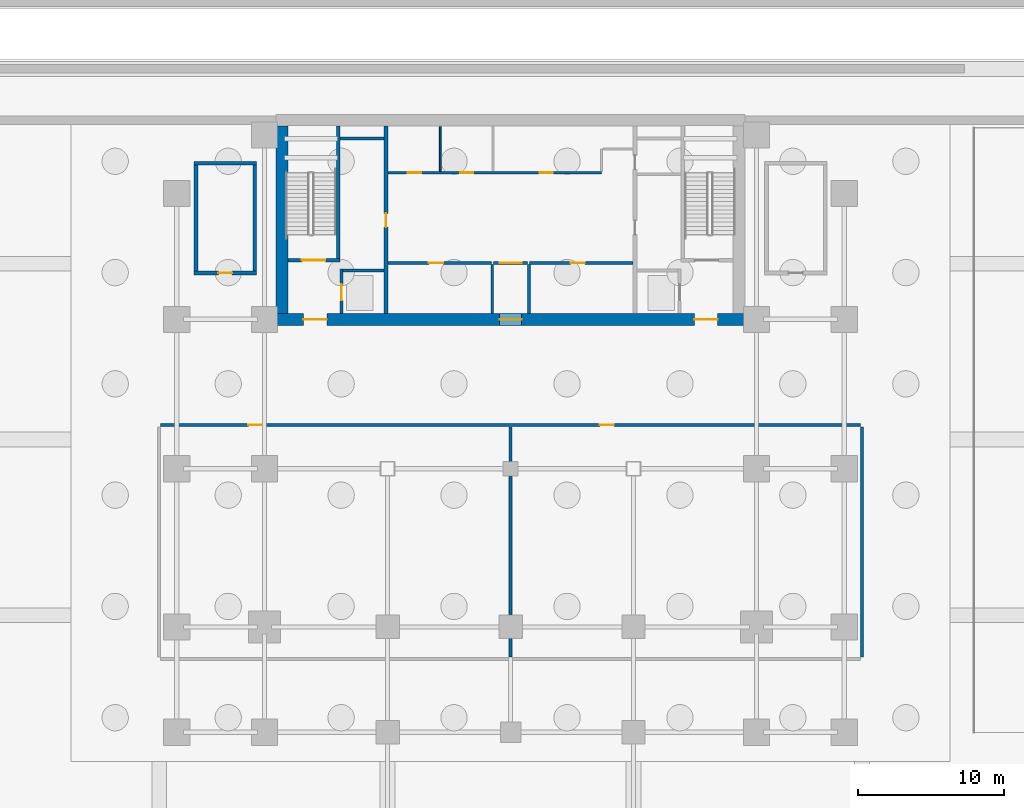
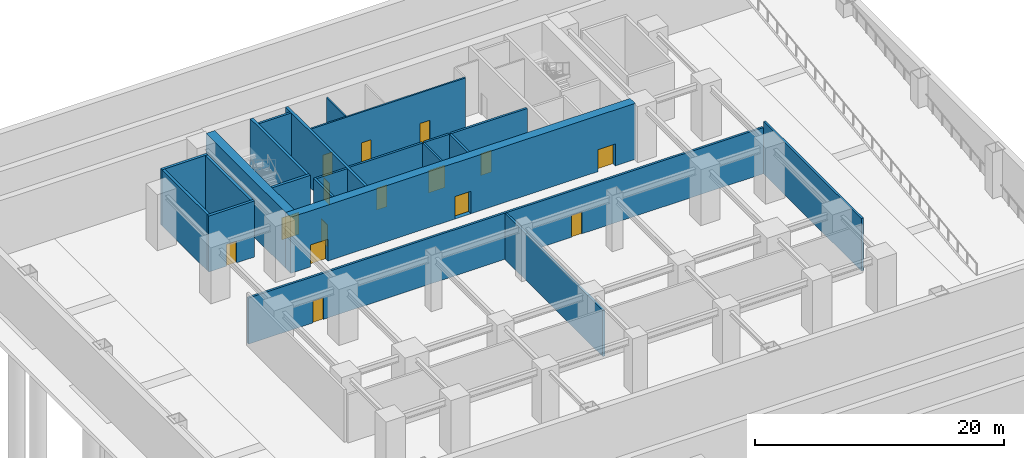
# One storey, part 4 of 9: 22 walls, 15 doors, 15 openings.
"""IFC4 building model written with IfcOpenShell, lengths in metres."""

from ifc_helpers import new_model, si_unit, direction, frame, frame_2d, origin, place, context, subcontext, project, spatial, rectangle, extrude, source, transform, mapped, material, layer, layer_set, type_object, element, fill, save


model = new_model("IFC4")

# Units and contexts
model_context = context("Model", 3, precision=1e-05, world=origin(), true_north=direction((0.0, 1.0)))
body_context = subcontext(model_context, "Body", "Model", "MODEL_VIEW")
ifc_project = project(units=[si_unit("LENGTHUNIT", "METRE"), si_unit("AREAUNIT", "SQUARE_METRE"), si_unit("VOLUMEUNIT", "CUBIC_METRE"), si_unit("PLANEANGLEUNIT", "RADIAN"), si_unit("MASSUNIT", "GRAM", prefix="KILO")], contexts=[model_context])

# Site, building, storey
site_placement = place(None, origin())
site = spatial("IfcSite", under=ifc_project, at=site_placement, CompositionType="ELEMENT")
building_placement = place(site_placement, origin())
building = spatial("IfcBuilding", under=site, at=building_placement, Name="Sumidabori Civic Tower", CompositionType="ELEMENT")
storey_placement = place(building_placement, frame((0.0, 0.0, -11.0)))
storey = spatial("IfcBuildingStorey", under=building, at=storey_placement, Name="B2", CompositionType="ELEMENT", Elevation=-11.0)

# Wall, openings, doors
ifc_material_1 = material(Name="Concrete C60/75", Category="concrete")
ifc_layer_1 = layer(ifc_material_1, 0.800048828125, Name="Concrete C60/75")
ifc_layer_set_1 = layer_set([ifc_layer_1], Name="Concrete C60/75")
wall_type_1 = type_object("IfcWallType", Name="WL-CORE-800", PredefinedType="SHEAR", material=ifc_layer_set_1)
shared_shape_1 = source(origin(), body_context, "Body", "SweptSolid", [
    extrude(rectangle(XDim=32.0, YDim=0.800048828125, at=frame_2d((16.0, 0.0))), origin(), (0.0, 0.0, 1.0), 5.5),
])
wall_1_placement = place(storey_placement, frame((-16.0, 10.199951171875, 0.0), z_axis=(0.0, 0.0, 1.0), x_axis=(1.0, 0.0, 0.0)))
wall_1 = element("IfcWall", 1, at=wall_1_placement, inside=storey, type_object=wall_type_1, Name="Core Shear Wall B2 S", PredefinedType="SHEAR", context=body_context, shape_type="MappedRepresentation", body=[
    mapped(shared_shape_1, transform((0.0, 0.0, 0.0), x_axis=(1.0, 0.0, 0.0), y_axis=(0.0, 1.0, 0.0), z_axis=(0.0, 0.0, 1.0), scale=1.0)),
])
opening_1_placement = place(wall_1_placement, frame((1.85009765625, 0.0, 0.0)))
opening_1 = element("IfcOpeningElement", 2, at=opening_1_placement, cuts=wall_1, Name="Opening DR-FD4", PredefinedType="OPENING", context=body_context, shape_type="SweptSolid", body=[
    extrude(rectangle(XDim=1.60009765625, YDim=2.14990234375, at=frame_2d((0.800048828125, 1.074951171875))), frame((0.0, 0.412109375, 0.0), z_axis=(0.0, -1.0, 0.0), x_axis=(1.0, 0.0, 0.0)), (0.0, 0.0, 1.0), 0.823974609375),
])
opening_2_placement = place(wall_1_placement, frame((28.550048828125, 0.0, 0.0)))
opening_2 = element("IfcOpeningElement", 3, at=opening_2_placement, cuts=wall_1, Name="Opening DR-FD4", PredefinedType="OPENING", context=body_context, shape_type="SweptSolid", body=[
    extrude(rectangle(XDim=1.60009765625, YDim=2.14990234375, at=frame_2d((0.800048828125, 1.074951171875))), frame((0.0, 0.412109375, 0.0), z_axis=(0.0, -1.0, 0.0), x_axis=(1.0, 0.0, 0.0)), (0.0, 0.0, 1.0), 0.823974609375),
])
opening_3_placement = place(wall_1_placement, frame((15.25, 0.0, 0.0)))
opening_3 = element("IfcOpeningElement", 4, at=opening_3_placement, cuts=wall_1, Name="Opening DR-FD3", PredefinedType="OPENING", context=body_context, shape_type="SweptSolid", body=[
    extrude(rectangle(XDim=1.5, YDim=2.199951171875, at=frame_2d((0.75, 1.10009765625))), frame((0.0, 0.412109375, 0.0), z_axis=(0.0, -1.0, 0.0), x_axis=(1.0, 0.0, 0.0)), (0.0, 0.0, 1.0), 0.823974609375),
])
ifc_material_2 = material(Name="Steel SN490", Category="steel")
door_type_1 = type_object("IfcDoorType", Name="DR-FD4", OperationType="DOUBLE_DOOR_SINGLE_SWING", PredefinedType="DOOR", material=ifc_material_2)
shared_shape_2 = source(origin(), body_context, "Body", "SweptSolid", [
    extrude(rectangle(XDim=1.60009765625, YDim=2.14990234375, at=frame_2d((0.800048828125, 1.074951171875))), frame((0.0, 0.02490234375, 0.0), z_axis=(0.0, -1.0, 0.0), x_axis=(1.0, 0.0, 0.0)), (0.0, 0.0, 1.0), 0.050048828125),
])
door_1_placement = place(opening_1_placement, origin())
door_1 = element("IfcDoor", 5, at=door_1_placement, inside=storey, type_object=door_type_1, Name="Door DR:B2:ELOB-W", OperationType="DOUBLE_DOOR_SINGLE_SWING", OverallHeight=2.14990234375, OverallWidth=1.60009765625, PredefinedType="DOOR", context=body_context, shape_type="MappedRepresentation", body=[
    mapped(shared_shape_2, transform((0.0, 0.0, 0.0), x_axis=(1.0, 0.0, 0.0), y_axis=(0.0, 1.0, 0.0), z_axis=(0.0, 0.0, 1.0), scale=1.0)),
])
fill(opening_1, door_1)
door_2_placement = place(opening_2_placement, origin())
door_2 = element("IfcDoor", 6, at=door_2_placement, inside=storey, type_object=door_type_1, Name="Door DR:B2:ELOB-E", OperationType="DOUBLE_DOOR_SINGLE_SWING", OverallHeight=2.14990234375, OverallWidth=1.60009765625, PredefinedType="DOOR", context=body_context, shape_type="MappedRepresentation", body=[
    mapped(shared_shape_2, transform((0.0, 0.0, 0.0), x_axis=(1.0, 0.0, 0.0), y_axis=(0.0, 1.0, 0.0), z_axis=(0.0, 0.0, 1.0), scale=1.0)),
])
fill(opening_2, door_2)
door_type_2 = type_object("IfcDoorType", Name="DR-FD-DBL", OperationType="DOUBLE_DOOR_SINGLE_SWING", PredefinedType="DOOR", material=ifc_material_2)
shared_shape_3 = source(origin(), body_context, "Body", "SweptSolid", [
    extrude(rectangle(XDim=1.5, YDim=2.199951171875, at=frame_2d((0.75, 1.10009765625))), frame((0.0, 0.02490234375, 0.0), z_axis=(0.0, -1.0, 0.0), x_axis=(1.0, 0.0, 0.0)), (0.0, 0.0, 1.0), 0.050048828125),
])
door_3_placement = place(opening_3_placement, origin())
door_3 = element("IfcDoor", 7, at=door_3_placement, inside=storey, type_object=door_type_2, Name="Door DR:B2:THROAT-OUT", OperationType="DOUBLE_DOOR_SINGLE_SWING", OverallHeight=2.199951171875, OverallWidth=1.5, PredefinedType="DOOR", context=body_context, shape_type="MappedRepresentation", body=[
    mapped(shared_shape_3, transform((0.0, 0.0, 0.0), x_axis=(1.0, 0.0, 0.0), y_axis=(0.0, 1.0, 0.0), z_axis=(0.0, 0.0, 1.0), scale=1.0)),
])
fill(opening_3, door_3)

# Wall
shared_shape_4 = source(origin(), body_context, "Body", "SweptSolid", [
    extrude(rectangle(XDim=12.7998046875, YDim=0.800048828125, at=frame_2d((6.39990234375, 0.0))), origin(), (0.0, 0.0, 1.0), 5.5),
])
wall_2_placement = place(storey_placement, frame((-15.60009765625, 10.60009765625, 0.0), z_axis=(0.0, 0.0, 1.0), x_axis=(0.0, 1.0, 0.0)))
element("IfcWall", 8, at=wall_2_placement, inside=storey, type_object=wall_type_1, Name="Core Shear Wall B2 W", PredefinedType="SHEAR", context=body_context, shape_type="MappedRepresentation", body=[
    mapped(shared_shape_4, transform((0.0, 0.0, 0.0), x_axis=(1.0, 0.0, 0.0), y_axis=(0.0, 1.0, 0.0), z_axis=(0.0, 0.0, 1.0), scale=1.0)),
])

# Wall, opening, door
ifc_material_3 = material(Name="Concrete C50/60", Category="concrete")
ifc_layer_2 = layer(ifc_material_3, 0.25, Name="Concrete C50/60")
ifc_layer_set_2 = layer_set([ifc_layer_2], Name="Concrete C50/60")
wall_type_2 = type_object("IfcWallType", Name="WL-SHAFT-250", PredefinedType="SHEAR", material=ifc_layer_set_2)
shared_shape_5 = source(origin(), body_context, "Body", "SweptSolid", [
    extrude(rectangle(XDim=12.7998046875, YDim=0.25, at=frame_2d((6.39990234375, 0.0))), origin(), (0.0, 0.0, 1.0), 5.5),
])
wall_3_placement = place(storey_placement, frame((-8.5, 10.60009765625, 0.0), z_axis=(0.0, 0.0, 1.0), x_axis=(0.0, 1.0, 0.0)))
wall_3 = element("IfcWall", 9, at=wall_3_placement, inside=storey, type_object=wall_type_2, Name="Core Shear Wall B2 WEB-W", PredefinedType="SHEAR", context=body_context, shape_type="MappedRepresentation", body=[
    mapped(shared_shape_5, transform((0.0, 0.0, 0.0), x_axis=(1.0, 0.0, 0.0), y_axis=(0.0, 1.0, 0.0), z_axis=(0.0, 0.0, 1.0), scale=1.0)),
])
opening_4_placement = place(wall_3_placement, frame((5.89990234375, 0.0, 0.0)))
opening_4 = element("IfcOpeningElement", 10, at=opening_4_placement, cuts=wall_3, Name="Opening DR-FD2", PredefinedType="OPENING", context=body_context, shape_type="SweptSolid", body=[
    extrude(rectangle(XDim=0.949951171875, YDim=2.14990234375, at=frame_2d((0.47509765625, 1.074951171875))), frame((0.0, 0.136962890625, 0.0), z_axis=(0.0, -1.0, 0.0), x_axis=(1.0, 0.0, 0.0)), (0.0, 0.0, 1.0), 0.27392578125),
])
door_type_3 = type_object("IfcDoorType", Name="DR-FD2", OperationType="NOTDEFINED", PredefinedType="DOOR", material=ifc_material_2)
shared_shape_6 = source(origin(), body_context, "Body", "SweptSolid", [
    extrude(rectangle(XDim=0.949951171875, YDim=2.14990234375, at=frame_2d((0.47509765625, 1.074951171875))), frame((0.0, 0.02490234375, 0.0), z_axis=(0.0, -1.0, 0.0), x_axis=(1.0, 0.0, 0.0)), (0.0, 0.0, 1.0), 0.050048828125),
])
door_4_placement = place(opening_4_placement, origin())
door_4 = element("IfcDoor", 11, at=door_4_placement, inside=storey, type_object=door_type_3, Name="Door DR:B2:CW-STR", OperationType="SINGLE_SWING_LEFT", OverallHeight=2.14990234375, OverallWidth=0.949951171875, PredefinedType="DOOR", context=body_context, shape_type="MappedRepresentation", body=[
    mapped(shared_shape_6, transform((0.0, 0.0, 0.0), x_axis=(1.0, 0.0, 0.0), y_axis=(0.0, 1.0, 0.0), z_axis=(0.0, 0.0, 1.0), scale=1.0)),
])
fill(opening_4, door_4)

shared_shape_7 = source(origin(), body_context, "Body", "SweptSolid", [
    extrude(rectangle(XDim=3.554931640625, YDim=0.25, at=frame_2d((1.77734375, 0.0))), origin(), (0.0, 0.0, 1.0), 5.5),
])
wall_4_placement = place(storey_placement, frame((-15.199951171875, 14.25, 0.0), z_axis=(0.0, 0.0, 1.0), x_axis=(1.0, 0.0, 0.0)))
wall_4 = element("IfcWall", 12, at=wall_4_placement, inside=storey, type_object=wall_type_2, Name="Core Shear Wall B2 ST1-S", PredefinedType="SHEAR", context=body_context, shape_type="MappedRepresentation", body=[
    mapped(shared_shape_7, transform((0.0, 0.0, 0.0), x_axis=(1.0, 0.0, 0.0), y_axis=(0.0, 1.0, 0.0), z_axis=(0.0, 0.0, 1.0), scale=1.0)),
])
opening_5_placement = place(wall_4_placement, frame((0.949951171875, 0.0, 0.0)))
opening_5 = element("IfcOpeningElement", 13, at=opening_5_placement, cuts=wall_4, Name="Opening DR-FD4", PredefinedType="OPENING", context=body_context, shape_type="SweptSolid", body=[
    extrude(rectangle(XDim=1.60009765625, YDim=2.14990234375, at=frame_2d((0.800048828125, 1.074951171875))), frame((0.0, 0.136962890625, 0.0), z_axis=(0.0, -1.0, 0.0), x_axis=(1.0, 0.0, 0.0)), (0.0, 0.0, 1.0), 0.27392578125),
])
door_5_placement = place(opening_5_placement, origin())
door_5 = element("IfcDoor", 14, at=door_5_placement, inside=storey, type_object=door_type_1, Name="Door DR:B2:ST1", OperationType="DOUBLE_DOOR_SINGLE_SWING", OverallHeight=2.14990234375, OverallWidth=1.60009765625, PredefinedType="DOOR", context=body_context, shape_type="MappedRepresentation", body=[
    mapped(shared_shape_2, transform((0.0, 0.0, 0.0), x_axis=(1.0, 0.0, 0.0), y_axis=(0.0, 1.0, 0.0), z_axis=(0.0, 0.0, 1.0), scale=1.0)),
])
fill(opening_5, door_5)

# Wall
shared_shape_8 = source(origin(), body_context, "Body", "SweptSolid", [
    extrude(rectangle(XDim=9.02490234375, YDim=0.25, at=frame_2d((4.512451171875, 0.0))), origin(), (0.0, 0.0, 1.0), 5.5),
])
wall_5_placement = place(storey_placement, frame((-11.77001953125, 14.375, 0.0), z_axis=(0.0, 0.0, 1.0), x_axis=(0.0, 1.0, 0.0)))
element("IfcWall", 15, at=wall_5_placement, inside=storey, type_object=wall_type_2, Name="Core Shear Wall B2 ST1-E", PredefinedType="SHEAR", context=body_context, shape_type="MappedRepresentation", body=[
    mapped(shared_shape_8, transform((0.0, 0.0, 0.0), x_axis=(1.0, 0.0, 0.0), y_axis=(0.0, 1.0, 0.0), z_axis=(0.0, 0.0, 1.0), scale=1.0)),
])

# Wall, opening, door
ifc_layer_3 = layer(ifc_material_3, 0.199951171875, Name="Concrete C50/60")
ifc_layer_set_3 = layer_set([ifc_layer_3], Name="Concrete C50/60")
wall_type_3 = type_object("IfcWallType", Name="WL-SHAFT-200", PredefinedType="SHEAR", material=ifc_layer_set_3)
shared_shape_9 = source(origin(), body_context, "Body", "SweptSolid", [
    extrude(rectangle(XDim=3.0498046875, YDim=0.199951171875, at=frame_2d((1.52490234375, 0.0))), origin(), (0.0, 0.0, 1.0), 5.5),
])
wall_6_placement = place(storey_placement, frame((-11.550048828125, 10.60009765625, 0.0), z_axis=(0.0, 0.0, 1.0), x_axis=(0.0, 1.0, 0.0)))
wall_6 = element("IfcWall", 16, at=wall_6_placement, inside=storey, type_object=wall_type_3, Name="Core Shear Wall B2 EL1-W", PredefinedType="SHEAR", context=body_context, shape_type="MappedRepresentation", body=[
    mapped(shared_shape_9, transform((0.0, 0.0, 0.0), x_axis=(1.0, 0.0, 0.0), y_axis=(0.0, 1.0, 0.0), z_axis=(0.0, 0.0, 1.0), scale=1.0)),
])
opening_6_placement = place(wall_6_placement, frame((0.89990234375, 0.0, 0.0)))
opening_6 = element("IfcOpeningElement", 17, at=opening_6_placement, cuts=wall_6, Name="Opening LD-2", PredefinedType="OPENING", context=body_context, shape_type="SweptSolid", body=[
    extrude(rectangle(XDim=1.10009765625, YDim=2.14990234375, at=frame_2d((0.550048828125, 1.074951171875))), frame((0.0, 0.11181640625, 0.0), z_axis=(0.0, -1.0, 0.0), x_axis=(1.0, 0.0, 0.0)), (0.0, 0.0, 1.0), 0.223876953125),
])
ifc_material_4 = material(Name="Stainless Steel Hairline Finish", Category="steel")
door_type_4 = type_object("IfcDoorType", Name="DR-LD2", OperationType="DOUBLE_DOOR_SLIDING", PredefinedType="DOOR", material=ifc_material_4)
shared_shape_10 = source(origin(), body_context, "Body", "SweptSolid", [
    extrude(rectangle(XDim=1.10009765625, YDim=2.14990234375, at=frame_2d((0.550048828125, 1.074951171875))), frame((0.0, 0.02490234375, 0.0), z_axis=(0.0, -1.0, 0.0), x_axis=(1.0, 0.0, 0.0)), (0.0, 0.0, 1.0), 0.050048828125),
])
door_6_placement = place(opening_6_placement, origin())
door_6 = element("IfcDoor", 18, at=door_6_placement, inside=storey, type_object=door_type_4, Name="Door DR:B2:LD-EL1", OperationType="DOUBLE_DOOR_SLIDING", OverallHeight=2.14990234375, OverallWidth=1.10009765625, PredefinedType="DOOR", context=body_context, shape_type="MappedRepresentation", body=[
    mapped(shared_shape_10, transform((0.0, 0.0, 0.0), x_axis=(1.0, 0.0, 0.0), y_axis=(0.0, 1.0, 0.0), z_axis=(0.0, 0.0, 1.0), scale=1.0)),
])
fill(opening_6, door_6)

# Walls
shared_shape_11 = source(origin(), body_context, "Body", "SweptSolid", [
    extrude(rectangle(XDim=2.824951171875, YDim=0.199951171875, at=frame_2d((1.41259765625, 0.0))), origin(), (0.0, 0.0, 1.0), 5.5),
])
wall_7_placement = place(storey_placement, frame((-11.449951171875, 13.550048828125, 0.0), z_axis=(0.0, 0.0, 1.0), x_axis=(1.0, 0.0, 0.0)))
element("IfcWall", 19, at=wall_7_placement, inside=storey, type_object=wall_type_3, Name="Core Shear Wall B2 EL1-N", PredefinedType="SHEAR", context=body_context, shape_type="MappedRepresentation", body=[
    mapped(shared_shape_11, transform((0.0, 0.0, 0.0), x_axis=(1.0, 0.0, 0.0), y_axis=(0.0, 1.0, 0.0), z_axis=(0.0, 0.0, 1.0), scale=1.0)),
])
shared_shape_12 = source(origin(), body_context, "Body", "SweptSolid", [
    extrude(rectangle(XDim=3.02001953125, YDim=0.199951171875, at=frame_2d((1.510009765625, 0.0))), origin(), (0.0, 0.0, 1.0), 5.5),
])
wall_8_placement = place(storey_placement, frame((-11.64501953125, 22.550048828125, 0.0), z_axis=(0.0, 0.0, 1.0), x_axis=(1.0, 0.0, 0.0)))
element("IfcWall", 20, at=wall_8_placement, inside=storey, type_object=wall_type_3, Name="Core Shear Wall B2 RIS1-S", PredefinedType="SHEAR", context=body_context, shape_type="MappedRepresentation", body=[
    mapped(shared_shape_12, transform((0.0, 0.0, 0.0), x_axis=(1.0, 0.0, 0.0), y_axis=(0.0, 1.0, 0.0), z_axis=(0.0, 0.0, 1.0), scale=1.0)),
])
shared_shape_13 = source(origin(), body_context, "Body", "SweptSolid", [
    extrude(rectangle(XDim=4.260009765625, YDim=0.25, at=frame_2d((2.1298828125, 0.0))), origin(), (0.0, 0.0, 1.0), 5.5),
])
wall_9_placement = place(storey_placement, frame((-21.610107421875, 20.864990234375, 0.0), z_axis=(0.0, 0.0, 1.0), x_axis=(1.0, 0.0, 0.0)))
element("IfcWall", 21, at=wall_9_placement, inside=storey, type_object=wall_type_2, Name="Core Shear Wall B2 ST3-N", PredefinedType="SHEAR", context=body_context, shape_type="MappedRepresentation", body=[
    mapped(shared_shape_13, transform((0.0, 0.0, 0.0), x_axis=(1.0, 0.0, 0.0), y_axis=(0.0, 1.0, 0.0), z_axis=(0.0, 0.0, 1.0), scale=1.0)),
])

# Wall, opening, door
wall_10_placement = place(storey_placement, frame((-21.610107421875, 13.375, 0.0), z_axis=(0.0, 0.0, 1.0), x_axis=(1.0, 0.0, 0.0)))
wall_10 = element("IfcWall", 22, at=wall_10_placement, inside=storey, type_object=wall_type_2, Name="Core Shear Wall B2 ST3-S", PredefinedType="SHEAR", context=body_context, shape_type="MappedRepresentation", body=[
    mapped(shared_shape_13, transform((0.0, 0.0, 0.0), x_axis=(1.0, 0.0, 0.0), y_axis=(0.0, 1.0, 0.0), z_axis=(0.0, 0.0, 1.0), scale=1.0)),
])
opening_7_placement = place(wall_10_placement, frame((1.64990234375, 0.0, 0.0)))
opening_7 = element("IfcOpeningElement", 23, at=opening_7_placement, cuts=wall_10, Name="Opening DR-FD2", PredefinedType="OPENING", context=body_context, shape_type="SweptSolid", body=[
    extrude(rectangle(XDim=0.949951171875, YDim=2.14990234375, at=frame_2d((0.47509765625, 1.074951171875))), frame((0.0, 0.136962890625, 0.0), z_axis=(0.0, -1.0, 0.0), x_axis=(1.0, 0.0, 0.0)), (0.0, 0.0, 1.0), 0.27392578125),
])
door_7_placement = place(opening_7_placement, origin())
door_7 = element("IfcDoor", 24, at=door_7_placement, inside=storey, type_object=door_type_3, Name="Door DR:B2:FAN-ST3", OperationType="SINGLE_SWING_LEFT", OverallHeight=2.14990234375, OverallWidth=0.949951171875, PredefinedType="DOOR", context=body_context, shape_type="MappedRepresentation", body=[
    mapped(shared_shape_6, transform((0.0, 0.0, 0.0), x_axis=(1.0, 0.0, 0.0), y_axis=(0.0, 1.0, 0.0), z_axis=(0.0, 0.0, 1.0), scale=1.0)),
])
fill(opening_7, door_7)

# Walls
shared_shape_14 = source(origin(), body_context, "Body", "SweptSolid", [
    extrude(rectangle(XDim=7.230224609375, YDim=0.25, at=frame_2d((3.615234375, 0.0))), origin(), (0.0, 0.0, 1.0), 5.5),
])
for number, where, z_axis, x_axis, name in (
    (25, (-21.485107421875, 13.5048828125, 0.0), (0.0, 0.0, 1.0), (0.0, 1.0, 0.0), "Core Shear Wall B2 ST3-W"),
    (26, (-17.47509765625, 13.5048828125, 0.0), (0.0, 0.0, 1.0), (0.0, 1.0, 0.0), "Core Shear Wall B2 ST3-E"),
):
    element("IfcWall", number, at=place(storey_placement, frame(where, z_axis=z_axis, x_axis=x_axis)), inside=storey, type_object=wall_type_2, Name=name, PredefinedType="SHEAR", context=body_context, shape_type="MappedRepresentation", body=[
        mapped(shared_shape_14, transform((0.0, 0.0, 0.0), x_axis=(1.0, 0.0, 0.0), y_axis=(0.0, 1.0, 0.0), z_axis=(0.0, 0.0, 1.0), scale=1.0)),
    ])

# Wall, opening, door
ifc_material_5 = material(Name="Gypsum Plasterboard Fire Partition")
ifc_layer_4 = layer(ifc_material_5, 0.199951171875, Name="Gypsum Plasterboard Fire Partition")
ifc_layer_set_4 = layer_set([ifc_layer_4], Name="Gypsum Plasterboard Fire Partition")
wall_type_4 = type_object("IfcWallType", Name="WL-PART-FIRE", PredefinedType="PARTITIONING", material=ifc_layer_set_4)
shared_shape_15 = source(origin(), body_context, "Body", "SweptSolid", [
    extrude(rectangle(XDim=7.070068359375, YDim=0.199951171875, at=frame_2d((3.53515625, 0.0))), origin(), (0.0, 0.0, 1.0), 5.14990234375),
])
wall_11_placement = place(storey_placement, frame((-8.3701171875, 14.050048828125, 0.0), z_axis=(0.0, 0.0, 1.0), x_axis=(1.0, 0.0, 0.0)))
wall_11 = element("IfcWall", 27, at=wall_11_placement, inside=storey, type_object=wall_type_4, Name="Interior Partition WL:B2:CBAND-SW", PredefinedType="PARTITIONING", context=body_context, shape_type="MappedRepresentation", body=[
    mapped(shared_shape_15, transform((0.0, 0.0, 0.0), x_axis=(1.0, 0.0, 0.0), y_axis=(0.0, 1.0, 0.0), z_axis=(0.0, 0.0, 1.0), scale=1.0)),
])
opening_8_placement = place(wall_11_placement, frame((2.800048828125, 0.0, 0.0)))
opening_8 = element("IfcOpeningElement", 28, at=opening_8_placement, cuts=wall_11, Name="Opening DR-3", PredefinedType="OPENING", context=body_context, shape_type="SweptSolid", body=[
    extrude(rectangle(XDim=0.97998046875, YDim=2.14990234375, at=frame_2d((0.489990234375, 1.074951171875))), frame((0.0, 0.11181640625, 0.0), z_axis=(0.0, -1.0, 0.0), x_axis=(1.0, 0.0, 0.0)), (0.0, 0.0, 1.0), 0.223876953125),
])
ifc_material_6 = material(Name="Japanese Hinoki Timber", Category="wood")
door_type_5 = type_object("IfcDoorType", Name="DR-INT-980", OperationType="NOTDEFINED", PredefinedType="DOOR", material=ifc_material_6)
shared_shape_16 = source(origin(), body_context, "Body", "SweptSolid", [
    extrude(rectangle(XDim=0.97998046875, YDim=2.14990234375, at=frame_2d((0.489990234375, 1.074951171875))), frame((0.0, 0.02490234375, 0.0), z_axis=(0.0, -1.0, 0.0), x_axis=(1.0, 0.0, 0.0)), (0.0, 0.0, 1.0), 0.050048828125),
])
door_8_placement = place(opening_8_placement, origin())
door_8 = element("IfcDoor", 29, at=door_8_placement, inside=storey, type_object=door_type_5, Name="Door DR:B2:REC-B1", OperationType="SINGLE_SWING_LEFT", OverallHeight=2.14990234375, OverallWidth=0.97998046875, PredefinedType="DOOR", context=body_context, shape_type="MappedRepresentation", body=[
    mapped(shared_shape_16, transform((0.0, 0.0, 0.0), x_axis=(1.0, 0.0, 0.0), y_axis=(0.0, 1.0, 0.0), z_axis=(0.0, 0.0, 1.0), scale=1.0)),
])
fill(opening_8, door_8)

wall_12_placement = place(storey_placement, frame((1.300048828125, 14.050048828125, 0.0), z_axis=(0.0, 0.0, 1.0), x_axis=(1.0, 0.0, 0.0)))
wall_12 = element("IfcWall", 30, at=wall_12_placement, inside=storey, type_object=wall_type_4, Name="Interior Partition WL:B2:CBAND-SE", PredefinedType="PARTITIONING", context=body_context, shape_type="MappedRepresentation", body=[
    mapped(shared_shape_15, transform((0.0, 0.0, 0.0), x_axis=(1.0, 0.0, 0.0), y_axis=(0.0, 1.0, 0.0), z_axis=(0.0, 0.0, 1.0), scale=1.0)),
])
opening_9_placement = place(wall_12_placement, frame((2.800048828125, 0.0, 0.0)))
opening_9 = element("IfcOpeningElement", 31, at=opening_9_placement, cuts=wall_12, Name="Opening DR-3", PredefinedType="OPENING", context=body_context, shape_type="SweptSolid", body=[
    extrude(rectangle(XDim=0.97998046875, YDim=2.14990234375, at=frame_2d((0.489990234375, 1.074951171875))), frame((0.0, 0.11181640625, 0.0), z_axis=(0.0, -1.0, 0.0), x_axis=(1.0, 0.0, 0.0)), (0.0, 0.0, 1.0), 0.223876953125),
])
door_9_placement = place(opening_9_placement, origin())
door_9 = element("IfcDoor", 32, at=door_9_placement, inside=storey, type_object=door_type_5, Name="Door DR:B2:REC-B2", OperationType="SINGLE_SWING_RIGHT", OverallHeight=2.14990234375, OverallWidth=0.97998046875, PredefinedType="DOOR", context=body_context, shape_type="MappedRepresentation", body=[
    mapped(shared_shape_16, transform((0.0, 0.0, 0.0), x_axis=(1.0, 0.0, 0.0), y_axis=(0.0, 1.0, 0.0), z_axis=(0.0, 0.0, 1.0), scale=1.0)),
])
fill(opening_9, door_9)

# Walls
shared_shape_17 = source(origin(), body_context, "Body", "SweptSolid", [
    extrude(rectangle(XDim=3.33984375, YDim=0.199951171875, at=frame_2d((1.669921875, 0.0))), origin(), (0.0, 0.0, 1.0), 5.14990234375),
])
for number, where, z_axis, x_axis, name in (
    (33, (-1.25, 10.60009765625, 0.0), (0.0, 0.0, 1.0), (0.0, 1.0, 0.0), "Interior Partition WL:B2:THROAT-W"),
    (34, (1.25, 10.60009765625, 0.0), (0.0, 0.0, 1.0), (0.0, 1.0, 0.0), "Interior Partition WL:B2:THROAT-E"),
):
    element("IfcWall", number, at=place(storey_placement, frame(where, z_axis=z_axis, x_axis=x_axis)), inside=storey, type_object=wall_type_4, Name=name, PredefinedType="PARTITIONING", context=body_context, shape_type="MappedRepresentation", body=[
        mapped(shared_shape_17, transform((0.0, 0.0, 0.0), x_axis=(1.0, 0.0, 0.0), y_axis=(0.0, 1.0, 0.0), z_axis=(0.0, 0.0, 1.0), scale=1.0)),
    ])

# Wall, opening, door
shared_shape_18 = source(origin(), body_context, "Body", "SweptSolid", [
    extrude(rectangle(XDim=2.2998046875, YDim=0.199951171875, at=frame_2d((1.14990234375, 0.0))), origin(), (0.0, 0.0, 1.0), 5.14990234375),
])
wall_13_placement = place(storey_placement, frame((-1.14990234375, 14.050048828125, 0.0), z_axis=(0.0, 0.0, 1.0), x_axis=(1.0, 0.0, 0.0)))
wall_13 = element("IfcWall", 35, at=wall_13_placement, inside=storey, type_object=wall_type_4, Name="Interior Partition WL:B2:THROAT-N", PredefinedType="PARTITIONING", context=body_context, shape_type="MappedRepresentation", body=[
    mapped(shared_shape_18, transform((0.0, 0.0, 0.0), x_axis=(1.0, 0.0, 0.0), y_axis=(0.0, 1.0, 0.0), z_axis=(0.0, 0.0, 1.0), scale=1.0)),
])
opening_10_placement = place(wall_13_placement, frame((0.39990234375, 0.0, 0.0)))
opening_10 = element("IfcOpeningElement", 36, at=opening_10_placement, cuts=wall_13, Name="Opening DR-FD3", PredefinedType="OPENING", context=body_context, shape_type="SweptSolid", body=[
    extrude(rectangle(XDim=1.5, YDim=2.199951171875, at=frame_2d((0.75, 1.10009765625))), frame((0.0, 0.11181640625, 0.0), z_axis=(0.0, -1.0, 0.0), x_axis=(1.0, 0.0, 0.0)), (0.0, 0.0, 1.0), 0.223876953125),
])
door_10_placement = place(opening_10_placement, origin())
door_10 = element("IfcDoor", 37, at=door_10_placement, inside=storey, type_object=door_type_2, Name="Door DR:B2:THROAT-IN", OperationType="DOUBLE_DOOR_SINGLE_SWING", OverallHeight=2.199951171875, OverallWidth=1.5, PredefinedType="DOOR", context=body_context, shape_type="MappedRepresentation", body=[
    mapped(shared_shape_3, transform((0.0, 0.0, 0.0), x_axis=(1.0, 0.0, 0.0), y_axis=(0.0, 1.0, 0.0), z_axis=(0.0, 0.0, 1.0), scale=1.0)),
])
fill(opening_10, door_10)

# Wall, openings, doors
ifc_material_7 = material(Name="Gypsum Plasterboard Acoustic Partition")
ifc_layer_5 = layer(ifc_material_7, 0.14990234375, Name="Gypsum Plasterboard Acoustic Partition")
ifc_layer_set_5 = layer_set([ifc_layer_5], Name="Gypsum Plasterboard Acoustic Partition")
wall_type_5 = type_object("IfcWallType", Name="WL-PART-150", PredefinedType="PARTITIONING", material=ifc_layer_set_5)
shared_shape_19 = source(origin(), body_context, "Body", "SweptSolid", [
    extrude(rectangle(XDim=14.590087890625, YDim=0.14990234375, at=frame_2d((7.294921875, 0.0))), origin(), (0.0, 0.0, 1.0), 5.14990234375),
])
wall_14_placement = place(storey_placement, frame((-8.3701171875, 20.219970703125, 0.0), z_axis=(0.0, 0.0, 1.0), x_axis=(1.0, 0.0, 0.0)))
wall_14 = element("IfcWall", 38, at=wall_14_placement, inside=storey, type_object=wall_type_5, Name="Interior Partition WL:B2:CBAND-M", PredefinedType="PARTITIONING", context=body_context, shape_type="MappedRepresentation", body=[
    mapped(shared_shape_19, transform((0.0, 0.0, 0.0), x_axis=(1.0, 0.0, 0.0), y_axis=(0.0, 1.0, 0.0), z_axis=(0.0, 0.0, 1.0), scale=1.0)),
])
opening_11_placement = place(wall_14_placement, frame((1.360107421875, 0.0, 0.0)))
opening_11 = element("IfcOpeningElement", 39, at=opening_11_placement, cuts=wall_14, Name="Opening DR-1", PredefinedType="OPENING", context=body_context, shape_type="SweptSolid", body=[
    extrude(rectangle(XDim=0.89990234375, YDim=2.14990234375, at=frame_2d((0.449951171875, 1.074951171875))), frame((0.0, 0.0869140625, 0.0), z_axis=(0.0, -1.0, 0.0), x_axis=(1.0, 0.0, 0.0)), (0.0, 0.0, 1.0), 0.173828125),
])
opening_12_placement = place(wall_14_placement, frame((4.919921875, 0.0, 0.0)))
opening_12 = element("IfcOpeningElement", 40, at=opening_12_placement, cuts=wall_14, Name="Opening DR-1", PredefinedType="OPENING", context=body_context, shape_type="SweptSolid", body=[
    extrude(rectangle(XDim=0.89990234375, YDim=2.14990234375, at=frame_2d((0.449951171875, 1.074951171875))), frame((0.0, 0.0869140625, 0.0), z_axis=(0.0, -1.0, 0.0), x_axis=(1.0, 0.0, 0.0)), (0.0, 0.0, 1.0), 0.173828125),
])
opening_13_placement = place(wall_14_placement, frame((10.3701171875, 0.0, 0.0)))
opening_13 = element("IfcOpeningElement", 41, at=opening_13_placement, cuts=wall_14, Name="Opening DR-1", PredefinedType="OPENING", context=body_context, shape_type="SweptSolid", body=[
    extrude(rectangle(XDim=0.89990234375, YDim=2.14990234375, at=frame_2d((0.449951171875, 1.074951171875))), frame((0.0, 0.0869140625, 0.0), z_axis=(0.0, -1.0, 0.0), x_axis=(1.0, 0.0, 0.0)), (0.0, 0.0, 1.0), 0.173828125),
])
door_type_6 = type_object("IfcDoorType", Name="DR-INT-900", OperationType="NOTDEFINED", PredefinedType="DOOR", material=ifc_material_6)
shared_shape_20 = source(origin(), body_context, "Body", "SweptSolid", [
    extrude(rectangle(XDim=0.89990234375, YDim=2.14990234375, at=frame_2d((0.449951171875, 1.074951171875))), frame((0.0, 0.02490234375, 0.0), z_axis=(0.0, -1.0, 0.0), x_axis=(1.0, 0.0, 0.0)), (0.0, 0.0, 1.0), 0.050048828125),
])
door_11_placement = place(opening_11_placement, origin())
door_11 = element("IfcDoor", 42, at=door_11_placement, inside=storey, type_object=door_type_6, Name="Door DR:B2:CB-1", OperationType="SINGLE_SWING_LEFT", OverallHeight=2.14990234375, OverallWidth=0.89990234375, PredefinedType="DOOR", context=body_context, shape_type="MappedRepresentation", body=[
    mapped(shared_shape_20, transform((0.0, 0.0, 0.0), x_axis=(1.0, 0.0, 0.0), y_axis=(0.0, 1.0, 0.0), z_axis=(0.0, 0.0, 1.0), scale=1.0)),
])
fill(opening_11, door_11)
door_12_placement = place(opening_12_placement, origin())
door_12 = element("IfcDoor", 43, at=door_12_placement, inside=storey, type_object=door_type_6, Name="Door DR:B2:CB-2", OperationType="SINGLE_SWING_RIGHT", OverallHeight=2.14990234375, OverallWidth=0.89990234375, PredefinedType="DOOR", context=body_context, shape_type="MappedRepresentation", body=[
    mapped(shared_shape_20, transform((0.0, 0.0, 0.0), x_axis=(1.0, 0.0, 0.0), y_axis=(0.0, 1.0, 0.0), z_axis=(0.0, 0.0, 1.0), scale=1.0)),
])
fill(opening_12, door_12)
door_13_placement = place(opening_13_placement, origin())
door_13 = element("IfcDoor", 44, at=door_13_placement, inside=storey, type_object=door_type_6, Name="Door DR:B2:CB-3", OperationType="SINGLE_SWING_LEFT", OverallHeight=2.14990234375, OverallWidth=0.89990234375, PredefinedType="DOOR", context=body_context, shape_type="MappedRepresentation", body=[
    mapped(shared_shape_20, transform((0.0, 0.0, 0.0), x_axis=(1.0, 0.0, 0.0), y_axis=(0.0, 1.0, 0.0), z_axis=(0.0, 0.0, 1.0), scale=1.0)),
])
fill(opening_13, door_13)

# Wall
ifc_layer_6 = layer(ifc_material_7, 0.1201171875, Name="Gypsum Plasterboard Acoustic Partition")
ifc_layer_set_6 = layer_set([ifc_layer_6], Name="Gypsum Plasterboard Acoustic Partition")
wall_type_6 = type_object("IfcWallType", Name="WL-PART-120", PredefinedType="PARTITIONING", material=ifc_layer_set_6)
shared_shape_21 = source(origin(), body_context, "Body", "SweptSolid", [
    extrude(rectangle(XDim=3.0400390625, YDim=0.1201171875, at=frame_2d((1.52001953125, 0.0))), origin(), (0.0, 0.0, 1.0), 5.14990234375),
])
wall_15_placement = place(storey_placement, frame((-4.800048828125, 20.320068359375, 0.0), z_axis=(0.0, 0.0, 1.0), x_axis=(0.0, 1.0, 0.0)))
element("IfcWall", 45, at=wall_15_placement, inside=storey, type_object=wall_type_6, Name="Interior Partition WL:B2:LV8-S1", PredefinedType="PARTITIONING", context=body_context, shape_type="MappedRepresentation", body=[
    mapped(shared_shape_21, transform((0.0, 0.0, 0.0), x_axis=(1.0, 0.0, 0.0), y_axis=(0.0, 1.0, 0.0), z_axis=(0.0, 0.0, 1.0), scale=1.0)),
])

# Wall, openings, doors
shared_shape_22 = source(origin(), body_context, "Body", "SweptSolid", [
    extrude(rectangle(XDim=47.7998046875, YDim=0.199951171875, at=frame_2d((23.89990234375, 0.0))), origin(), (0.0, 0.0, 1.0), 4.534912109375),
])
wall_16_placement = place(storey_placement, frame((-23.89990234375, 3.0, 0.0), z_axis=(0.0, 0.0, 1.0), x_axis=(1.0, 0.0, 0.0)))
wall_16 = element("IfcWall", 46, at=wall_16_placement, inside=storey, type_object=wall_type_4, Name="Interior Partition WL:B2:ISL-N", PredefinedType="PARTITIONING", context=body_context, shape_type="MappedRepresentation", body=[
    mapped(shared_shape_22, transform((0.0, 0.0, 0.0), x_axis=(1.0, 0.0, 0.0), y_axis=(0.0, 1.0, 0.0), z_axis=(0.0, 0.0, 1.0), scale=1.0)),
])
opening_14_placement = place(wall_16_placement, frame((6.0, 0.0, 0.0)))
opening_14 = element("IfcOpeningElement", 47, at=opening_14_placement, cuts=wall_16, Name="Opening DR-FD2", PredefinedType="OPENING", context=body_context, shape_type="SweptSolid", body=[
    extrude(rectangle(XDim=0.949951171875, YDim=2.14990234375, at=frame_2d((0.47509765625, 1.074951171875))), frame((0.0, 0.11181640625, 0.0), z_axis=(0.0, -1.0, 0.0), x_axis=(1.0, 0.0, 0.0)), (0.0, 0.0, 1.0), 0.223876953125),
])
opening_15_placement = place(wall_16_placement, frame((30.0, 0.0, 0.0)))
opening_15 = element("IfcOpeningElement", 48, at=opening_15_placement, cuts=wall_16, Name="Opening DR-FD2", PredefinedType="OPENING", context=body_context, shape_type="SweptSolid", body=[
    extrude(rectangle(XDim=0.949951171875, YDim=2.14990234375, at=frame_2d((0.47509765625, 1.074951171875))), frame((0.0, 0.11181640625, 0.0), z_axis=(0.0, -1.0, 0.0), x_axis=(1.0, 0.0, 0.0)), (0.0, 0.0, 1.0), 0.223876953125),
])
door_14_placement = place(opening_14_placement, origin())
door_14 = element("IfcDoor", 49, at=door_14_placement, inside=storey, type_object=door_type_3, Name="Door DR:B2:CIST1", OperationType="SINGLE_SWING_LEFT", OverallHeight=2.14990234375, OverallWidth=0.949951171875, PredefinedType="DOOR", context=body_context, shape_type="MappedRepresentation", body=[
    mapped(shared_shape_6, transform((0.0, 0.0, 0.0), x_axis=(1.0, 0.0, 0.0), y_axis=(0.0, 1.0, 0.0), z_axis=(0.0, 0.0, 1.0), scale=1.0)),
])
fill(opening_14, door_14)
door_15_placement = place(opening_15_placement, origin())
door_15 = element("IfcDoor", 50, at=door_15_placement, inside=storey, type_object=door_type_3, Name="Door DR:B2:CIST2", OperationType="SINGLE_SWING_RIGHT", OverallHeight=2.14990234375, OverallWidth=0.949951171875, PredefinedType="DOOR", context=body_context, shape_type="MappedRepresentation", body=[
    mapped(shared_shape_6, transform((0.0, 0.0, 0.0), x_axis=(1.0, 0.0, 0.0), y_axis=(0.0, 1.0, 0.0), z_axis=(0.0, 0.0, 1.0), scale=1.0)),
])
fill(opening_15, door_15)

# Walls
shared_shape_23 = source(origin(), body_context, "Body", "SweptSolid", [
    extrude(rectangle(XDim=15.7001953125, YDim=0.199951171875, at=frame_2d((7.85009765625, 0.0))), origin(), (0.0, 0.0, 1.0), 5.14990234375),
])
wall_17_placement = place(storey_placement, frame((24.0, -12.85009765625, 0.0), z_axis=(0.0, 0.0, 1.0), x_axis=(0.0, 1.0, 0.0)))
element("IfcWall", 51, at=wall_17_placement, inside=storey, type_object=wall_type_4, Name="Interior Partition WL:B2:ISL-E", PredefinedType="PARTITIONING", context=body_context, shape_type="MappedRepresentation", body=[
    mapped(shared_shape_23, transform((0.0, 0.0, 0.0), x_axis=(1.0, 0.0, 0.0), y_axis=(0.0, 1.0, 0.0), z_axis=(0.0, 0.0, 1.0), scale=1.0)),
])
shared_shape_24 = source(origin(), body_context, "Body", "SweptSolid", [
    extrude(rectangle(XDim=15.7001953125, YDim=0.199951171875, at=frame_2d((7.85009765625, 0.0))), origin(), (0.0, 0.0, 1.0), 4.534912109375),
])
wall_18_placement = place(storey_placement, frame((0.0, -12.85009765625, 0.0), z_axis=(0.0, 0.0, 1.0), x_axis=(0.0, 1.0, 0.0)))
element("IfcWall", 52, at=wall_18_placement, inside=storey, type_object=wall_type_4, Name="Interior Partition WL:B2:ISL-M", PredefinedType="PARTITIONING", context=body_context, shape_type="MappedRepresentation", body=[
    mapped(shared_shape_24, transform((0.0, 0.0, 0.0), x_axis=(1.0, 0.0, 0.0), y_axis=(0.0, 1.0, 0.0), z_axis=(0.0, 0.0, 1.0), scale=1.0)),
])

save(model, "model.ifc")
